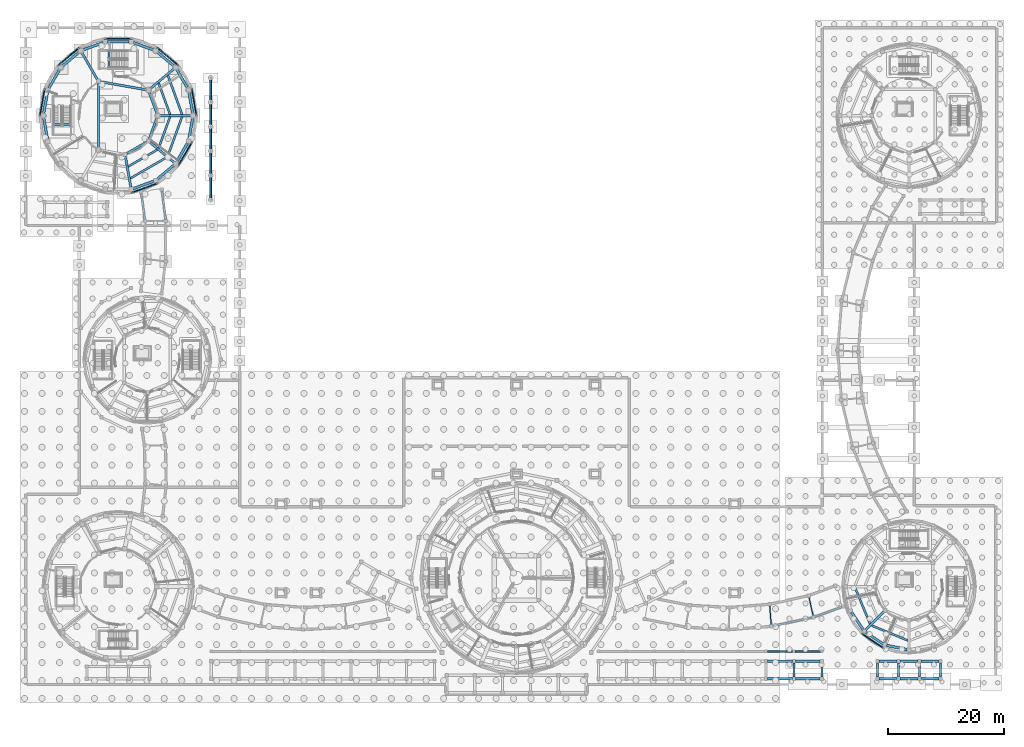
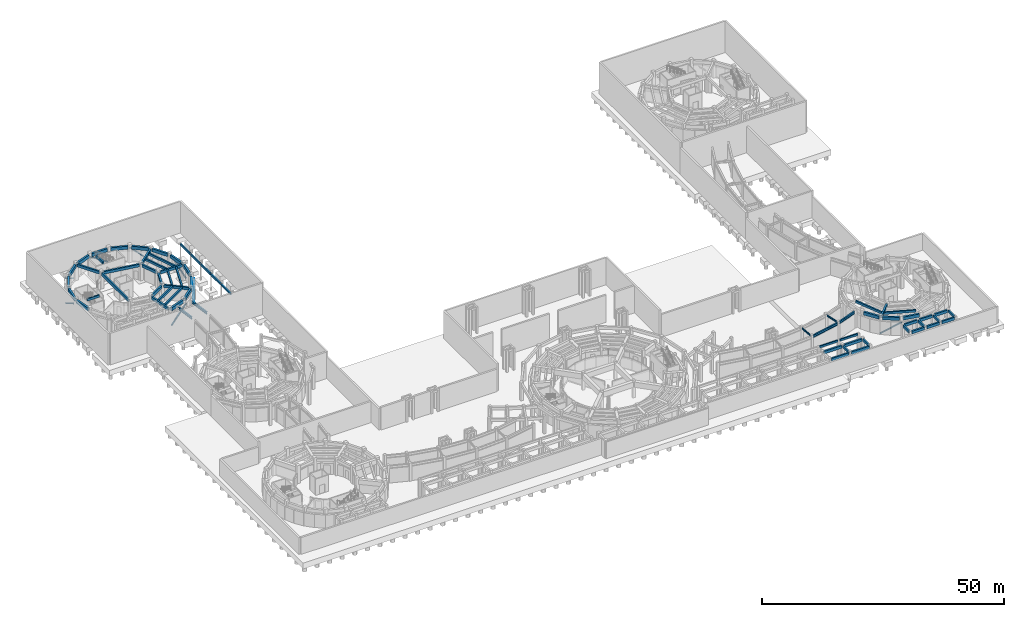
# One storey, part 19 of 57: 67 beams, 8 members.
"""IFC4 building model written with IfcOpenShell, lengths in metres."""

from ifc_helpers import new_model, si_unit, direction, frame, origin, origin_2d, place, context, subcontext, project, spatial, rectangle, i_section, extrude, material, material_profile, profile_set, type_object, element, save


model = new_model("IFC4")

# Units and contexts
model_context = context("Model", 3, precision=1e-05, world=origin(), true_north=direction((0.0, 1.0)))
body_context = subcontext(model_context, "Body", "Model", "MODEL_VIEW")
ifc_project = project(units=[si_unit("LENGTHUNIT", "METRE"), si_unit("AREAUNIT", "SQUARE_METRE"), si_unit("VOLUMEUNIT", "CUBIC_METRE"), si_unit("PLANEANGLEUNIT", "RADIAN"), si_unit("MASSUNIT", "GRAM", prefix="KILO")], contexts=[model_context])

# Site, building, storey
site_placement = place(None, origin())
site = spatial("IfcSite", under=ifc_project, at=site_placement, CompositionType="ELEMENT")
building_placement = place(site_placement, origin())
building = spatial("IfcBuilding", under=site, at=building_placement, Name="Aldenvaro Health Centre", CompositionType="ELEMENT")
storey_placement = place(building_placement, frame((0.0, 0.0, -4.550048828125)))
storey = spatial("IfcBuildingStorey", under=building, at=storey_placement, Name="B1", CompositionType="ELEMENT", Elevation=-4.550048828125)

# Beams
ifc_material_1 = material(Name="Concrete f'c 40 MPa", Category="concrete")
ifc_material_profile_1 = material_profile(ifc_material_1, rectangle(XDim=0.300048828125, YDim=0.47998046875, at=origin_2d()), Name="RC 300x480", Category="concrete")
ifc_profile_set_1 = profile_set([ifc_material_profile_1], Name="Concrete f'c 40 MPa")
beam_type_1 = type_object("IfcBeamType", Name="BM-RC-480", PredefinedType="LINTEL", material=ifc_profile_set_1)
for number, where, z_axis, x_axis, name in (
    (1, (34.39990234375, 85.10009765625, 3.989990234375), (0.0, 1.0, 0.0), (-1.0, 0.0, 0.0), "Garden Rond-Point Tie Beam 1-2"),
    (2, (34.39990234375, 89.300048828125, 3.989990234375), (0.0, 1.0, 0.0), (-1.0, 0.0, 0.0), "Garden Rond-Point Tie Beam 2-3"),
    (3, (34.39990234375, 93.5, 3.989990234375), (0.0, 1.0, 0.0), (-1.0, 0.0, 0.0), "Garden Rond-Point Tie Beam 3-4"),
    (4, (34.39990234375, 97.699951171875, 3.989990234375), (0.0, 1.0, 0.0), (-1.0, 0.0, 0.0), "Garden Rond-Point Tie Beam 4-5"),
    (5, (34.39990234375, 101.89990234375, 3.989990234375), (0.0, 1.0, 0.0), (-1.0, 0.0, 0.0), "Garden Rond-Point Tie Beam 5-6"),
):
    element("IfcBeam", number, at=place(storey_placement, frame(where, z_axis=z_axis, x_axis=x_axis)), inside=storey, type_object=beam_type_1, Name=name, PredefinedType="LINTEL", context=body_context, shape_type="SweptSolid", body=[
        extrude(rectangle(XDim=0.300048828125, YDim=0.47998046875, at=origin_2d()), origin(), (0.0, 0.0, 1.0), 4.0),
    ])
beam_1_placement = place(storey_placement, frame((130.125, 7.35009765625, 4.31005859375), z_axis=(1.0, 0.0, 0.0), x_axis=(0.0, 1.0, 0.0)))
element("IfcBeam", 6, at=beam_1_placement, inside=storey, type_object=beam_type_1, Name="Courtyard Screen E Grade Beam 7", PredefinedType="LINTEL", context=body_context, shape_type="SweptSolid", body=[
    extrude(rectangle(XDim=0.300048828125, YDim=0.47998046875, at=origin_2d()), origin(), (0.0, 0.0, 1.0), 4.35009765625),
])
beam_2_placement = place(storey_placement, frame((134.925048828125, 7.35009765625, 4.31005859375), z_axis=(1.0, 0.0, 0.0), x_axis=(0.0, 1.0, 0.0)))
element("IfcBeam", 7, at=beam_2_placement, inside=storey, type_object=beam_type_1, Name="Courtyard Screen E Grade Beam 8", PredefinedType="LINTEL", context=body_context, shape_type="SweptSolid", body=[
    extrude(rectangle(XDim=0.300048828125, YDim=0.47998046875, at=origin_2d()), origin(), (0.0, 0.0, 1.0), 4.349853515625),
])
ifc_material_profile_2 = material_profile(ifc_material_1, rectangle(XDim=0.35009765625, YDim=0.56005859375, at=origin_2d()), Name="RC 350x560", Category="concrete")
ifc_profile_set_2 = profile_set([ifc_material_profile_2], Name="Concrete f'c 40 MPa")
beam_type_2 = type_object("IfcBeamType", Name="BM-RC-560", PredefinedType="JOIST", material=ifc_profile_set_2)
beam_3_placement = place(storey_placement, frame((27.419921875, 99.68798828125, 3.8681640625), z_axis=(-0.341961289309, 0.939714039809, 0.0), x_axis=(-0.939714039809, -0.341961289309, 0.0)))
element("IfcBeam", 8, at=beam_3_placement, inside=storey, type_object=beam_type_2, Name="D4 B1 secondary joist 01.1", PredefinedType="JOIST", context=body_context, shape_type="SweptSolid", body=[
    extrude(rectangle(XDim=0.35009765625, YDim=0.56005859375, at=origin_2d()), origin(), (0.0, 0.0, 1.0), 5.748779296875),
])
beam_4_placement = place(storey_placement, frame((29.488037109375, 99.68798828125, 3.8681640625), z_axis=(-0.342030395486, 0.939688889242, 0.0), x_axis=(-0.939688889242, -0.342030395486, 0.0)))
element("IfcBeam", 9, at=beam_4_placement, inside=storey, type_object=beam_type_2, Name="D4 B1 secondary joist 01.2", PredefinedType="JOIST", context=body_context, shape_type="SweptSolid", body=[
    extrude(rectangle(XDim=0.35009765625, YDim=0.56005859375, at=origin_2d()), origin(), (0.0, 0.0, 1.0), 7.162841796875),
])
beam_5_placement = place(storey_placement, frame((20.23388671875, 90.748046875, 3.8681640625), z_axis=(0.866071029786, 0.499920965119, 0.0), x_axis=(-0.499920965119, 0.866071029786, 0.0)))
element("IfcBeam", 10, at=beam_5_placement, inside=storey, type_object=beam_type_2, Name="D4 B1 secondary joist 05.1", PredefinedType="JOIST", context=body_context, shape_type="SweptSolid", body=[
    extrude(rectangle(XDim=0.35009765625, YDim=0.56005859375, at=origin_2d()), origin(), (0.0, 0.0, 1.0), 5.7490234375),
])
beam_6_placement = place(storey_placement, frame((20.593017578125, 88.7119140625, 3.8681640625), z_axis=(0.866036300653, 0.499981125595, 0.0), x_axis=(-0.499981125595, 0.866036300653, 0.0)))
element("IfcBeam", 11, at=beam_6_placement, inside=storey, type_object=beam_type_2, Name="D4 B1 secondary joist 05.2", PredefinedType="JOIST", context=body_context, shape_type="SweptSolid", body=[
    extrude(rectangle(XDim=0.35009765625, YDim=0.56005859375, at=origin_2d()), origin(), (0.0, 0.0, 1.0), 7.162353515625),
])
beam_7_placement = place(storey_placement, frame((25.4541015625, 93.909912109375, 3.8681640625), z_axis=(0.341961289309, 0.939714039809, 0.0), x_axis=(-0.939714039809, 0.341961289309, 0.0)))
element("IfcBeam", 12, at=beam_7_placement, inside=storey, type_object=beam_type_2, Name="D4 B1 secondary joist 06.1", PredefinedType="JOIST", context=body_context, shape_type="SweptSolid", body=[
    extrude(rectangle(XDim=0.35009765625, YDim=0.56005859375, at=origin_2d()), origin(), (0.0, 0.0, 1.0), 5.748779296875),
])
beam_8_placement = place(storey_placement, frame((27.0380859375, 92.5810546875, 3.8681640625), z_axis=(0.342030395486, 0.939688889242, 0.0), x_axis=(-0.939688889242, 0.342030395486, 0.0)))
element("IfcBeam", 13, at=beam_8_placement, inside=storey, type_object=beam_type_2, Name="D4 B1 secondary joist 06.2", PredefinedType="JOIST", context=body_context, shape_type="SweptSolid", body=[
    extrude(rectangle(XDim=0.35009765625, YDim=0.56005859375, at=origin_2d()), origin(), (0.0, 0.0, 1.0), 7.162841796875),
])
for number, where, z_axis, x_axis, name in (
    (14, (145.220947265625, 18.31494140625, 3.8681640625), (0.382688809162, -0.923877305351, 0.0), (0.923877305351, 0.382688809162, 0.0), "D6 B1 secondary joist 03.2"),
    (15, (148.069091796875, 11.80810546875, 3.8681640625), (0.923877305351, -0.382688809162, 0.0), (0.382688809162, 0.923877305351, 0.0), "D6 B1 secondary joist 04.2"),
):
    element("IfcBeam", number, at=place(storey_placement, frame(where, z_axis=z_axis, x_axis=x_axis)), inside=storey, type_object=beam_type_2, Name=name, PredefinedType="JOIST", context=body_context, shape_type="SweptSolid", body=[
        extrude(rectangle(XDim=0.35009765625, YDim=0.56005859375, at=origin_2d()), origin(), (0.0, 0.0, 1.0), 6.760498046875),
    ])
for number, where, z_axis, x_axis, name in (
    (16, (134.699951171875, 2.925048828125, 4.010009765625), (0.0, 1.0, 0.0), (-1.0, 0.0, 0.0), "South Stoa E Transverse Beam B1-8"),
    (17, (139.5, 2.925048828125, 4.010009765625), (0.0, 1.0, 0.0), (-1.0, 0.0, 0.0), "South Stoa E Transverse Beam B1-9"),
    (18, (149.10009765625, 2.925048828125, 4.130126953125), (0.0, 1.0, 0.0), (-1.0, 0.0, 0.0), "Pavilion Portico E6 Grade Tie 1"),
    (19, (152.699951171875, 2.925048828125, 4.130126953125), (0.0, 1.0, 0.0), (-1.0, 0.0, 0.0), "Pavilion Portico E6 Grade Tie 2"),
    (20, (156.300048828125, 2.925048828125, 4.130126953125), (0.0, 1.0, 0.0), (-1.0, 0.0, 0.0), "Pavilion Portico E6 Grade Tie 3"),
    (21, (159.89990234375, 2.925048828125, 4.130126953125), (0.0, 1.0, 0.0), (-1.0, 0.0, 0.0), "Pavilion Portico E6 Grade Tie 4"),
):
    element("IfcBeam", number, at=place(storey_placement, frame(where, z_axis=z_axis, x_axis=x_axis)), inside=storey, type_object=beam_type_2, Name=name, PredefinedType="JOIST", context=body_context, shape_type="SweptSolid", body=[
        extrude(rectangle(XDim=0.35009765625, YDim=0.56005859375, at=origin_2d()), origin(), (0.0, 0.0, 1.0), 2.449951171875),
    ])
for number, where, z_axis, x_axis, name in (
    (22, (16.949951171875, 107.699951171875, 4.27001953125), (0.0, 1.0, 0.0), (-1.0, 0.0, 0.0), "ST-07 L00 stair landing trimmer beam"),
    (23, (10.300048828125, 97.949951171875, 4.27001953125), (-1.0, 0.0, 0.0), (0.0, -1.0, 0.0), "ST-08 L00 stair landing trimmer beam"),
):
    element("IfcBeam", number, at=place(storey_placement, frame(where, z_axis=z_axis, x_axis=x_axis)), inside=storey, type_object=beam_type_2, Name=name, PredefinedType="JOIST", context=body_context, shape_type="SweptSolid", body=[
        extrude(rectangle(XDim=0.35009765625, YDim=0.56005859375, at=origin_2d()), origin(), (0.0, 0.0, 1.0), 2.900146484375),
    ])
ifc_material_profile_3 = material_profile(ifc_material_1, rectangle(XDim=0.39990234375, YDim=0.679931640625, at=origin_2d()), Name="RC 400x680", Category="concrete")
ifc_profile_set_3 = profile_set([ifc_material_profile_3], Name="Concrete f'c 40 MPa")
beam_type_3 = type_object("IfcBeamType", Name="BM-RC-680", PredefinedType="BEAM", material=ifc_profile_set_3)
beam_9_placement = place(storey_placement, frame((25.172119140625, 99.85205078125, 3.80810546875), z_axis=(-0.3421398539, 0.939649041064, 0.0), x_axis=(-0.939649041064, -0.3421398539, 0.0)))
element("IfcBeam", 24, at=beam_9_placement, inside=storey, type_object=beam_type_3, Name="D4 B1 inner ring beam 01", PredefinedType="BEAM", context=body_context, shape_type="SweptSolid", body=[
    extrude(rectangle(XDim=0.39990234375, YDim=0.679931640625, at=origin_2d()), origin(), (0.0, 0.0, 1.0), 3.902587890625),
])
beam_10_placement = place(storey_placement, frame((23.340087890625, 103.93603515625, 3.80810546875), z_axis=(-0.984806613484, 0.173654640126, 0.0), x_axis=(-0.173654640126, -0.984806613484, 0.0)))
element("IfcBeam", 25, at=beam_10_placement, inside=storey, type_object=beam_type_3, Name="D4 B1 inner ring beam 02", PredefinedType="BEAM", context=body_context, shape_type="SweptSolid", body=[
    extrude(rectangle(XDim=0.39990234375, YDim=0.679931640625, at=origin_2d()), origin(), (0.0, 0.0, 1.0), 7.992431640625),
])
beam_11_placement = place(storey_placement, frame((15.10009765625, 105.013916015625, 3.80810546875), z_axis=(0.0, -1.0, 0.0), x_axis=(1.0, 0.0, 0.0)))
element("IfcBeam", 26, at=beam_11_placement, inside=storey, type_object=beam_type_3, Name="D4 B1 inner ring beam 03", PredefinedType="BEAM", context=body_context, shape_type="SweptSolid", body=[
    extrude(rectangle(XDim=0.39990234375, YDim=0.679931640625, at=origin_2d()), origin(), (0.0, 0.0, 1.0), 11.02783203125),
])
beam_12_placement = place(storey_placement, frame((20.006103515625, 92.990966796875, 3.80810546875), z_axis=(0.866058423659, 0.499942803539, 0.0), x_axis=(-0.499942803539, 0.866058423659, 0.0)))
element("IfcBeam", 27, at=beam_12_placement, inside=storey, type_object=beam_type_3, Name="D4 B1 inner ring beam 05", PredefinedType="BEAM", context=body_context, shape_type="SweptSolid", body=[
    extrude(rectangle(XDim=0.39990234375, YDim=0.679931640625, at=origin_2d()), origin(), (0.0, 0.0, 1.0), 3.900390625),
])
beam_13_placement = place(storey_placement, frame((23.8369140625, 95.48095703125, 3.80810546875), z_axis=(0.3421398539, 0.939649041064, 0.0), x_axis=(-0.939649041064, 0.3421398539, 0.0)))
element("IfcBeam", 28, at=beam_13_placement, inside=storey, type_object=beam_type_3, Name="D4 B1 inner ring beam 06", PredefinedType="BEAM", context=body_context, shape_type="SweptSolid", body=[
    extrude(rectangle(XDim=0.39990234375, YDim=0.679931640625, at=origin_2d()), origin(), (0.0, 0.0, 1.0), 3.902587890625),
])
beam_14_placement = place(storey_placement, frame((25.675048828125, 99.5, 3.80810546875), z_axis=(1.0, 0.0, 0.0), x_axis=(0.0, 1.0, 0.0)))
element("IfcBeam", 29, at=beam_14_placement, inside=storey, type_object=beam_type_3, Name="D4 B1 radial beam 01", PredefinedType="BEAM", context=body_context, shape_type="SweptSolid", body=[
    extrude(rectangle(XDim=0.39990234375, YDim=0.679931640625, at=origin_2d()), origin(), (0.0, 0.0, 1.0), 5.329833984375),
])
beam_15_placement = place(storey_placement, frame((23.99609375, 104.112060546875, 3.80810546875), z_axis=(0.766122434815, 0.642694651349, 0.0), x_axis=(-0.642694651349, 0.766122434815, 0.0)))
element("IfcBeam", 30, at=beam_15_placement, inside=storey, type_object=beam_type_3, Name="D4 B1 radial beam 02", PredefinedType="BEAM", context=body_context, shape_type="SweptSolid", body=[
    extrude(rectangle(XDim=0.39990234375, YDim=0.679931640625, at=origin_2d()), origin(), (0.0, 0.0, 1.0), 5.330810546875),
])
beam_16_placement = place(storey_placement, frame((14.912109375, 105.714111328125, 3.80810546875), z_axis=(-0.499943228252, 0.866058178487, 0.0), x_axis=(-0.866058178487, -0.499943228252, 0.0)))
element("IfcBeam", 31, at=beam_16_placement, inside=storey, type_object=beam_type_3, Name="D4 B1 radial beam 03", PredefinedType="BEAM", context=body_context, shape_type="SweptSolid", body=[
    extrude(rectangle(XDim=0.39990234375, YDim=0.679931640625, at=origin_2d()), origin(), (0.0, 0.0, 1.0), 5.32861328125),
])
beam_17_placement = place(storey_placement, frame((19.74609375, 92.43408203125, 3.80810546875), z_axis=(0.173735686752, -0.98479231879, 0.0), x_axis=(0.98479231879, 0.173735686752, 0.0)))
element("IfcBeam", 32, at=beam_17_placement, inside=storey, type_object=beam_type_3, Name="D4 B1 radial beam 05", PredefinedType="BEAM", context=body_context, shape_type="SweptSolid", body=[
    extrude(rectangle(XDim=0.39990234375, YDim=0.679931640625, at=origin_2d()), origin(), (0.0, 0.0, 1.0), 5.330078125),
])
beam_18_placement = place(storey_placement, frame((23.99609375, 94.887939453125, 3.80810546875), z_axis=(0.766122434815, -0.642694651349, 0.0), x_axis=(0.642694651349, 0.766122434815, 0.0)))
element("IfcBeam", 33, at=beam_18_placement, inside=storey, type_object=beam_type_3, Name="D4 B1 radial beam 06", PredefinedType="BEAM", context=body_context, shape_type="SweptSolid", body=[
    extrude(rectangle(XDim=0.39990234375, YDim=0.679931640625, at=origin_2d()), origin(), (0.0, 0.0, 1.0), 5.330810546875),
])
beam_19_placement = place(storey_placement, frame((150.1689453125, 14.1689453125, 3.80810546875), z_axis=(-0.707106781187, -0.707106781187, 0.0), x_axis=(0.707106781187, -0.707106781187, 0.0)))
element("IfcBeam", 34, at=beam_19_placement, inside=storey, type_object=beam_type_3, Name="D6 B1 radial beam 04", PredefinedType="BEAM", context=body_context, shape_type="SweptSolid", body=[
    extrude(rectangle(XDim=0.39990234375, YDim=0.679931640625, at=origin_2d()), origin(), (0.0, 0.0, 1.0), 4.42919921875),
])
for number, where, z_axis, x_axis, name in (
    (35, (130.175048828125, 2.64990234375, 3.949951171875), (1.0, 0.0, 0.0), (0.0, 1.0, 0.0), "South Stoa E Classical Architrave B1-7.1"),
    (36, (130.175048828125, 5.64990234375, 3.949951171875), (1.0, 0.0, 0.0), (0.0, 1.0, 0.0), "South Stoa E Classical Architrave B1-7.2"),
    (37, (134.97509765625, 2.64990234375, 3.949951171875), (1.0, 0.0, 0.0), (0.0, 1.0, 0.0), "South Stoa E Classical Architrave B1-8.1"),
    (38, (134.97509765625, 5.64990234375, 3.949951171875), (1.0, 0.0, 0.0), (0.0, 1.0, 0.0), "South Stoa E Classical Architrave B1-8.2"),
):
    element("IfcBeam", number, at=place(storey_placement, frame(where, z_axis=z_axis, x_axis=x_axis)), inside=storey, type_object=beam_type_3, Name=name, PredefinedType="BEAM", context=body_context, shape_type="SweptSolid", body=[
        extrude(rectangle(XDim=0.39990234375, YDim=0.679931640625, at=origin_2d()), origin(), (0.0, 0.0, 1.0), 4.25),
    ])
for number, where, z_axis, x_axis, name in (
    (39, (149.375, 2.64990234375, 4.090087890625), (1.0, 0.0, 0.0), (0.0, 1.0, 0.0), "Pavilion Portico E6 Grade Beam 1.1"),
    (40, (149.375, 5.64990234375, 4.090087890625), (1.0, 0.0, 0.0), (0.0, 1.0, 0.0), "Pavilion Portico E6 Grade Beam 1.2"),
):
    element("IfcBeam", number, at=place(storey_placement, frame(where, z_axis=z_axis, x_axis=x_axis)), inside=storey, type_object=beam_type_3, Name=name, PredefinedType="BEAM", context=body_context, shape_type="SweptSolid", body=[
        extrude(rectangle(XDim=0.39990234375, YDim=0.679931640625, at=origin_2d()), origin(), (0.0, 0.0, 1.0), 3.050048828125),
    ])
for number, where, z_axis, x_axis, name in (
    (41, (152.97509765625, 2.64990234375, 4.090087890625), (1.0, 0.0, 0.0), (0.0, 1.0, 0.0), "Pavilion Portico E6 Grade Beam 2.1"),
    (42, (152.97509765625, 5.64990234375, 4.090087890625), (1.0, 0.0, 0.0), (0.0, 1.0, 0.0), "Pavilion Portico E6 Grade Beam 2.2"),
):
    element("IfcBeam", number, at=place(storey_placement, frame(where, z_axis=z_axis, x_axis=x_axis)), inside=storey, type_object=beam_type_3, Name=name, PredefinedType="BEAM", context=body_context, shape_type="SweptSolid", body=[
        extrude(rectangle(XDim=0.39990234375, YDim=0.679931640625, at=origin_2d()), origin(), (0.0, 0.0, 1.0), 3.0498046875),
    ])
for number, where, z_axis, x_axis, name in (
    (43, (156.574951171875, 2.64990234375, 4.090087890625), (1.0, 0.0, 0.0), (0.0, 1.0, 0.0), "Pavilion Portico E6 Grade Beam 3.1"),
    (44, (156.574951171875, 5.64990234375, 4.090087890625), (1.0, 0.0, 0.0), (0.0, 1.0, 0.0), "Pavilion Portico E6 Grade Beam 3.2"),
):
    element("IfcBeam", number, at=place(storey_placement, frame(where, z_axis=z_axis, x_axis=x_axis)), inside=storey, type_object=beam_type_3, Name=name, PredefinedType="BEAM", context=body_context, shape_type="SweptSolid", body=[
        extrude(rectangle(XDim=0.39990234375, YDim=0.679931640625, at=origin_2d()), origin(), (0.0, 0.0, 1.0), 3.050048828125),
    ])
ifc_material_profile_4 = material_profile(ifc_material_1, rectangle(XDim=0.449951171875, YDim=0.800048828125, at=origin_2d()), Name="RC 450x800", Category="concrete")
ifc_profile_set_4 = profile_set([ifc_material_profile_4], Name="Concrete f'c 40 MPa")
beam_type_4 = type_object("IfcBeamType", Name="BM-RC-800I", PredefinedType="SPANDREL", material=ifc_profile_set_4)
beam_20_placement = place(storey_placement, frame((31.31494140625, 99.868896484375, 3.748046875), z_axis=(-0.173747930785, 0.984790158637, 0.0), x_axis=(-0.984790158637, -0.173747930785, 0.0)))
element("IfcBeam", 45, at=beam_20_placement, inside=storey, type_object=beam_type_4, Name="D4 B1 perimeter spandrel 01", PredefinedType="SPANDREL", context=body_context, shape_type="SweptSolid", body=[
    extrude(rectangle(XDim=0.449951171875, YDim=0.800048828125, at=origin_2d()), origin(), (0.0, 0.0, 1.0), 3.7236328125),
])
beam_21_placement = place(storey_placement, frame((30.416015625, 104.22998046875, 3.748046875), z_axis=(-0.500123550989, 0.865954059836, 0.0), x_axis=(-0.865954059836, -0.500123550989, 0.0)))
element("IfcBeam", 46, at=beam_21_placement, inside=storey, type_object=beam_type_4, Name="D4 B1 perimeter spandrel 02", PredefinedType="SPANDREL", context=body_context, shape_type="SweptSolid", body=[
    extrude(rectangle(XDim=0.449951171875, YDim=0.800048828125, at=origin_2d()), origin(), (0.0, 0.0, 1.0), 3.72314453125),
])
beam_22_placement = place(storey_placement, frame((28.080078125, 108.02001953125, 3.748046875), z_axis=(-0.766164468339, 0.642644542072, 0.0), x_axis=(-0.642644542072, -0.766164468339, 0.0)))
element("IfcBeam", 47, at=beam_22_placement, inside=storey, type_object=beam_type_4, Name="D4 B1 perimeter spandrel 03", PredefinedType="SPANDREL", context=body_context, shape_type="SweptSolid", body=[
    extrude(rectangle(XDim=0.449951171875, YDim=0.800048828125, at=origin_2d()), origin(), (0.0, 0.0, 1.0), 3.723876953125),
])
beam_23_placement = place(storey_placement, frame((24.587890625, 110.781982421875, 3.748046875), z_axis=(-0.939651678076, 0.342132611555, 0.0), x_axis=(-0.342132611555, -0.939651678076, 0.0)))
element("IfcBeam", 48, at=beam_23_placement, inside=storey, type_object=beam_type_4, Name="D4 B1 perimeter spandrel 04", PredefinedType="SPANDREL", context=body_context, shape_type="SweptSolid", body=[
    extrude(rectangle(XDim=0.449951171875, YDim=0.800048828125, at=origin_2d()), origin(), (0.0, 0.0, 1.0), 3.723388671875),
])
beam_24_placement = place(storey_placement, frame((20.362060546875, 112.18408203125, 3.748046875), z_axis=(-1.0, 0.0, 0.0), x_axis=(0.0, -1.0, 0.0)))
element("IfcBeam", 49, at=beam_24_placement, inside=storey, type_object=beam_type_4, Name="D4 B1 perimeter spandrel 05", PredefinedType="SPANDREL", context=body_context, shape_type="SweptSolid", body=[
    extrude(rectangle(XDim=0.449951171875, YDim=0.800048828125, at=origin_2d()), origin(), (0.0, 0.0, 1.0), 3.72412109375),
])
beam_25_placement = place(storey_placement, frame((15.910888671875, 112.055908203125, 3.748046875), z_axis=(-0.939651678076, -0.342132611555, 0.0), x_axis=(0.342132611555, -0.939651678076, 0.0)))
element("IfcBeam", 50, at=beam_25_placement, inside=storey, type_object=beam_type_4, Name="D4 B1 perimeter spandrel 06", PredefinedType="SPANDREL", context=body_context, shape_type="SweptSolid", body=[
    extrude(rectangle(XDim=0.449951171875, YDim=0.800048828125, at=origin_2d()), origin(), (0.0, 0.0, 1.0), 3.723388671875),
])
beam_26_placement = place(storey_placement, frame((11.77294921875, 110.4130859375, 3.748046875), z_axis=(-0.766164468339, -0.642644542072, 0.0), x_axis=(0.642644542072, -0.766164468339, 0.0)))
element("IfcBeam", 51, at=beam_26_placement, inside=storey, type_object=beam_type_4, Name="D4 B1 perimeter spandrel 07", PredefinedType="SPANDREL", context=body_context, shape_type="SweptSolid", body=[
    extrude(rectangle(XDim=0.449951171875, YDim=0.800048828125, at=origin_2d()), origin(), (0.0, 0.0, 1.0), 3.723876953125),
])
beam_27_placement = place(storey_placement, frame((8.446044921875, 107.4541015625, 3.748046875), z_axis=(-0.500123550989, -0.865954059836, 0.0), x_axis=(0.865954059836, -0.500123550989, 0.0)))
element("IfcBeam", 52, at=beam_27_placement, inside=storey, type_object=beam_type_4, Name="D4 B1 perimeter spandrel 08", PredefinedType="SPANDREL", context=body_context, shape_type="SweptSolid", body=[
    extrude(rectangle(XDim=0.449951171875, YDim=0.800048828125, at=origin_2d()), origin(), (0.0, 0.0, 1.0), 3.72314453125),
])
for number, where, z_axis, x_axis, name in (
    (53, (6.33203125, 103.535888671875, 3.748046875), (-0.173747930785, -0.984790158637, 0.0), (0.984790158637, -0.173747930785, 0.0), "D4 B1 perimeter spandrel 09"),
    (54, (5.68505859375, 99.131103515625, 3.748046875), (0.173747930785, -0.984790158637, 0.0), (0.984790158637, 0.173747930785, 0.0), "D4 B1 perimeter spandrel 10"),
):
    element("IfcBeam", number, at=place(storey_placement, frame(where, z_axis=z_axis, x_axis=x_axis)), inside=storey, type_object=beam_type_4, Name=name, PredefinedType="SPANDREL", context=body_context, shape_type="SweptSolid", body=[
        extrude(rectangle(XDim=0.449951171875, YDim=0.800048828125, at=origin_2d()), origin(), (0.0, 0.0, 1.0), 3.7236328125),
    ])
beam_28_placement = place(storey_placement, frame((21.089111328125, 86.944091796875, 3.748046875), z_axis=(0.939651678076, 0.342132611555, 0.0), x_axis=(-0.342132611555, 0.939651678076, 0.0)))
element("IfcBeam", 55, at=beam_28_placement, inside=storey, type_object=beam_type_4, Name="D4 B1 perimeter spandrel 15", PredefinedType="SPANDREL", context=body_context, shape_type="SweptSolid", body=[
    extrude(rectangle(XDim=0.449951171875, YDim=0.800048828125, at=origin_2d()), origin(), (0.0, 0.0, 1.0), 3.723388671875),
])
beam_29_placement = place(storey_placement, frame((25.22705078125, 88.5869140625, 3.748046875), z_axis=(0.766164468339, 0.642644542072, 0.0), x_axis=(-0.642644542072, 0.766164468339, 0.0)))
element("IfcBeam", 56, at=beam_29_placement, inside=storey, type_object=beam_type_4, Name="D4 B1 perimeter spandrel 16", PredefinedType="SPANDREL", context=body_context, shape_type="SweptSolid", body=[
    extrude(rectangle(XDim=0.449951171875, YDim=0.800048828125, at=origin_2d()), origin(), (0.0, 0.0, 1.0), 3.723876953125),
])
beam_30_placement = place(storey_placement, frame((28.553955078125, 91.5458984375, 3.748046875), z_axis=(0.500123550989, 0.865954059836, 0.0), x_axis=(-0.865954059836, 0.500123550989, 0.0)))
element("IfcBeam", 57, at=beam_30_placement, inside=storey, type_object=beam_type_4, Name="D4 B1 perimeter spandrel 17", PredefinedType="SPANDREL", context=body_context, shape_type="SweptSolid", body=[
    extrude(rectangle(XDim=0.449951171875, YDim=0.800048828125, at=origin_2d()), origin(), (0.0, 0.0, 1.0), 3.72314453125),
])
beam_31_placement = place(storey_placement, frame((30.66796875, 95.464111328125, 3.748046875), z_axis=(0.173747930785, 0.984790158637, 0.0), x_axis=(-0.984790158637, 0.173747930785, 0.0)))
element("IfcBeam", 58, at=beam_31_placement, inside=storey, type_object=beam_type_4, Name="D4 B1 perimeter spandrel 18", PredefinedType="SPANDREL", context=body_context, shape_type="SweptSolid", body=[
    extrude(rectangle(XDim=0.449951171875, YDim=0.800048828125, at=origin_2d()), origin(), (0.0, 0.0, 1.0), 3.7236328125),
])
for number, where, z_axis, x_axis, name in (
    (59, (144.62890625, 14.06591796875, 3.748046875), (0.555546237001, -0.831485645429, 0.0), (0.831485645429, 0.555546237001, 0.0), "D6 B1 perimeter spandrel 10"),
    (60, (147.076904296875, 10.6259765625, 3.748046875), (0.831485645429, -0.555546237001, 0.0), (0.555546237001, 0.831485645429, 0.0), "D6 B1 perimeter spandrel 11"),
):
    element("IfcBeam", number, at=place(storey_placement, frame(where, z_axis=z_axis, x_axis=x_axis)), inside=storey, type_object=beam_type_4, Name=name, PredefinedType="SPANDREL", context=body_context, shape_type="SweptSolid", body=[
        extrude(rectangle(XDim=0.449951171875, YDim=0.800048828125, at=origin_2d()), origin(), (0.0, 0.0, 1.0), 3.5947265625),
    ])
beam_32_placement = place(storey_placement, frame((150.655029296875, 8.385009765625, 3.748046875), z_axis=(0.980755283982, -0.195241063665, 0.0), x_axis=(0.195241063665, 0.980755283982, 0.0)))
element("IfcBeam", 61, at=beam_32_placement, inside=storey, type_object=beam_type_4, Name="D6 B1 perimeter spandrel 12", PredefinedType="SPANDREL", context=body_context, shape_type="SweptSolid", body=[
    extrude(rectangle(XDim=0.449951171875, YDim=0.800048828125, at=origin_2d()), origin(), (0.0, 0.0, 1.0), 3.594970703125),
])
ifc_material_2 = material(Name="Steel ASTM A992 Grade 50", Category="steel")
ifc_material_profile_5 = material_profile(ifc_material_2, i_section(OverallWidth=0.180908203125, OverallDepth=0.4169921875, WebThickness=0.010986328125, FlangeThickness=0.018310546875, at=origin_2d()), Name="W16X57", Category="steel")
ifc_profile_set_5 = profile_set([ifc_material_profile_5], Name="Steel ASTM A992 Grade 50")
beam_type_5 = type_object("IfcBeamType", Name="BM-ST-W16", PredefinedType="JOIST", material=ifc_profile_set_5)
beam_33_placement = place(storey_placement, frame((130.5419921875, 15.18310546875, 4.0810546875), z_axis=(0.078126830306, -0.996943427877, 0.0), x_axis=(0.996943427877, 0.078126830306, 0.0)))
element("IfcBeam", 62, at=beam_33_placement, inside=storey, type_object=beam_type_5, Name="South East Curved Peristyle Walkway Arc 3 B1 cross beam 2", PredefinedType="JOIST", context=body_context, shape_type="SweptSolid", body=[
    extrude(i_section(OverallWidth=0.180908203125, OverallDepth=0.4169921875, WebThickness=0.010986328125, FlangeThickness=0.018310546875, at=origin_2d()), origin(), (0.0, 0.0, 1.0), 3.25),
])
beam_34_placement = place(storey_placement, frame((137.301025390625, 16.672119140625, 4.0810546875), z_axis=(0.212981858346, -0.977056153972, 0.0), x_axis=(0.977056153972, 0.212981858346, 0.0)))
element("IfcBeam", 63, at=beam_34_placement, inside=storey, type_object=beam_type_5, Name="South East Curved Peristyle Walkway Arc 4 B1 cross beam 2", PredefinedType="JOIST", context=body_context, shape_type="SweptSolid", body=[
    extrude(i_section(OverallWidth=0.180908203125, OverallDepth=0.4169921875, WebThickness=0.010986328125, FlangeThickness=0.018310546875, at=origin_2d()), origin(), (0.0, 0.0, 1.0), 3.24853515625),
])
ifc_material_profile_6 = material_profile(ifc_material_2, i_section(OverallWidth=0.326904296875, OverallDepth=0.6220703125, WebThickness=0.015380859375, FlangeThickness=0.0244140625, at=origin_2d()), Name="W24X131", Category="steel")
ifc_profile_set_6 = profile_set([ifc_material_profile_6], Name="Steel ASTM A992 Grade 50")
beam_type_6 = type_object("IfcBeamType", Name="BM-ST-W24", PredefinedType="BEAM", material=ifc_profile_set_6)
beam_35_placement = place(storey_placement, frame((23.056884765625, 81.6298828125, 4.033935546875), z_axis=(-0.130642100279, 0.991429594896, 0.0), x_axis=(-0.991429594896, -0.130642100279, 0.0)))
element("IfcBeam", 64, at=beam_35_placement, inside=storey, type_object=beam_type_6, Name="West North Curved Garden Walkway Arc 3 B1 girder L-1", PredefinedType="BEAM", context=body_context, shape_type="SweptSolid", body=[
    extrude(i_section(OverallWidth=0.326904296875, OverallDepth=0.6220703125, WebThickness=0.015380859375, FlangeThickness=0.0244140625, at=origin_2d()), origin(), (0.0, 0.0, 1.0), 4.4775390625),
])
beam_36_placement = place(storey_placement, frame((26.658935546875, 81.6298828125, 4.033935546875), z_axis=(-0.125330720713, 0.992115018758, 0.0), x_axis=(-0.992115018758, -0.125330720713, 0.0)))
element("IfcBeam", 65, at=beam_36_placement, inside=storey, type_object=beam_type_6, Name="West North Curved Garden Walkway Arc 3 B1 girder R-1", PredefinedType="BEAM", context=body_context, shape_type="SweptSolid", body=[
    extrude(i_section(OverallWidth=0.326904296875, OverallDepth=0.6220703125, WebThickness=0.015380859375, FlangeThickness=0.0244140625, at=origin_2d()), origin(), (0.0, 0.0, 1.0), 4.93798828125),
])
beam_37_placement = place(storey_placement, frame((131.0869140625, 11.72705078125, 3.97900390625), z_axis=(0.977532997131, 0.210782445949, 0.0), x_axis=(-0.210782445949, 0.977532997131, 0.0)))
element("IfcBeam", 66, at=beam_37_placement, inside=storey, type_object=beam_type_6, Name="South East Curved Peristyle Walkway Arc 4 B1 girder R-1", PredefinedType="BEAM", context=body_context, shape_type="SweptSolid", body=[
    extrude(i_section(OverallWidth=0.326904296875, OverallDepth=0.6220703125, WebThickness=0.015380859375, FlangeThickness=0.0244140625, at=origin_2d()), origin(), (0.0, 0.0, 1.0), 6.849853515625),
])
beam_38_placement = place(storey_placement, frame((138.31103515625, 13.322998046875, 3.97900390625), z_axis=(0.940238058324, 0.340517831661, 0.0), x_axis=(-0.340517831661, 0.940238058324, 0.0)))
element("IfcBeam", 67, at=beam_38_placement, inside=storey, type_object=beam_type_6, Name="South East Curved Peristyle Walkway Arc 5 B1 girder R-1", PredefinedType="BEAM", context=body_context, shape_type="SweptSolid", body=[
    extrude(i_section(OverallWidth=0.326904296875, OverallDepth=0.6220703125, WebThickness=0.015380859375, FlangeThickness=0.0244140625, at=origin_2d()), origin(), (0.0, 0.0, 1.0), 4.848876953125),
])

# Members
ifc_material_3 = material(Name="Glulam GL28h", Category="wood")
ifc_material_profile_7 = material_profile(ifc_material_3, rectangle(XDim=0.175048828125, YDim=0.26611328125, at=origin_2d()), Name="GL 175x266", Category="wood")
ifc_profile_set_7 = profile_set([ifc_material_profile_7], Name="Glulam GL28h")
member_type = type_object("IfcMemberType", Name="MEM-BR-266", PredefinedType="BRACE", material=ifc_profile_set_7)
member_1_placement = place(storey_placement, frame((31.95703125, 99.52001953125, 0.16015625), z_axis=(-0.14561970137, 0.824413899885, 0.546933839006), x_axis=(-0.984755970201, -0.173941596962, 0.0)))
element("IfcMember", 68, at=member_1_placement, inside=storey, type_object=member_type, Name="D4 B1 timber brace 1", PredefinedType="BRACE", context=body_context, shape_type="SweptSolid", body=[
    extrude(rectangle(XDim=0.175048828125, YDim=0.26611328125, at=origin_2d()), origin(), (0.0, 0.0, 1.0), 5.5361328125),
])
member_2_placement = place(storey_placement, frame((28.7958984375, 108.1650390625, 0.16015625), z_axis=(-0.641367139294, 0.538088684933, 0.546908365067), x_axis=(-0.642729958752, -0.7660928143, 0.0)))
element("IfcMember", 69, at=member_2_placement, inside=storey, type_object=member_type, Name="D4 B1 timber brace 3", PredefinedType="BRACE", context=body_context, shape_type="SweptSolid", body=[
    extrude(rectangle(XDim=0.175048828125, YDim=0.26611328125, at=origin_2d()), origin(), (0.0, 0.0, 1.0), 5.536376953125),
])
member_3_placement = place(storey_placement, frame((20.81689453125, 112.756103515625, 0.16015625), z_axis=(-0.837131192696, 0.0, 0.547002162899), x_axis=(0.0, -1.0, 0.0)))
element("IfcMember", 70, at=member_3_placement, inside=storey, type_object=member_type, Name="D4 B1 timber brace 5", PredefinedType="BRACE", context=body_context, shape_type="SweptSolid", body=[
    extrude(rectangle(XDim=0.175048828125, YDim=0.26611328125, at=origin_2d()), origin(), (0.0, 0.0, 1.0), 5.535400390625),
])
member_4_placement = place(storey_placement, frame((11.7548828125, 111.14404296875, 0.16015625), z_axis=(-0.641367139294, -0.538088684933, 0.546908365067), x_axis=(0.642729958752, -0.7660928143, 0.0)))
element("IfcMember", 71, at=member_4_placement, inside=storey, type_object=member_type, Name="D4 B1 timber brace 7", PredefinedType="BRACE", context=body_context, shape_type="SweptSolid", body=[
    extrude(rectangle(XDim=0.175048828125, YDim=0.26611328125, at=origin_2d()), origin(), (0.0, 0.0, 1.0), 5.536376953125),
])
member_5_placement = place(storey_placement, frame((5.84912109375, 104.083984375, 0.16015625), z_axis=(-0.14561970137, -0.824413899885, 0.546933839006), x_axis=(0.984755970201, -0.173941596962, 0.0)))
element("IfcMember", 72, at=member_5_placement, inside=storey, type_object=member_type, Name="D4 B1 timber brace 9", PredefinedType="BRACE", context=body_context, shape_type="SweptSolid", body=[
    extrude(rectangle(XDim=0.175048828125, YDim=0.26611328125, at=origin_2d()), origin(), (0.0, 0.0, 1.0), 5.5361328125),
])
for number, where, z_axis, x_axis, name in (
    (73, (20.85595703125, 86.2509765625, 0.16015625), (0.786685737755, 0.286308095611, 0.546949014443), (-0.341996836208, 0.939701103556, 0.0), "D4 B1 timber brace 15"),
    (74, (28.821044921875, 90.864990234375, 0.16015625), (0.418514234317, 0.72505716822, 0.546935040464), (-0.866075941565, 0.499912455778, 0.0), "D4 B1 timber brace 17"),
):
    element("IfcMember", number, at=place(storey_placement, frame(where, z_axis=z_axis, x_axis=x_axis)), inside=storey, type_object=member_type, Name=name, PredefinedType="BRACE", context=body_context, shape_type="SweptSolid", body=[
        extrude(rectangle(XDim=0.175048828125, YDim=0.26611328125, at=origin_2d()), origin(), (0.0, 0.0, 1.0), 5.535888671875),
    ])
member_6_placement = place(storey_placement, frame((146.4140625, 10.385986328125, 0.16015625), z_axis=(0.686295665845, -0.458955961355, 0.564231942182), x_axis=(0.555894969235, 0.83125253875, 0.0)))
element("IfcMember", 75, at=member_6_placement, inside=storey, type_object=member_type, Name="D6 B1 timber brace 11", PredefinedType="BRACE", context=body_context, shape_type="SweptSolid", body=[
    extrude(rectangle(XDim=0.175048828125, YDim=0.26611328125, at=origin_2d()), origin(), (0.0, 0.0, 1.0), 5.3662109375),
])

save(model, "model.ifc")
